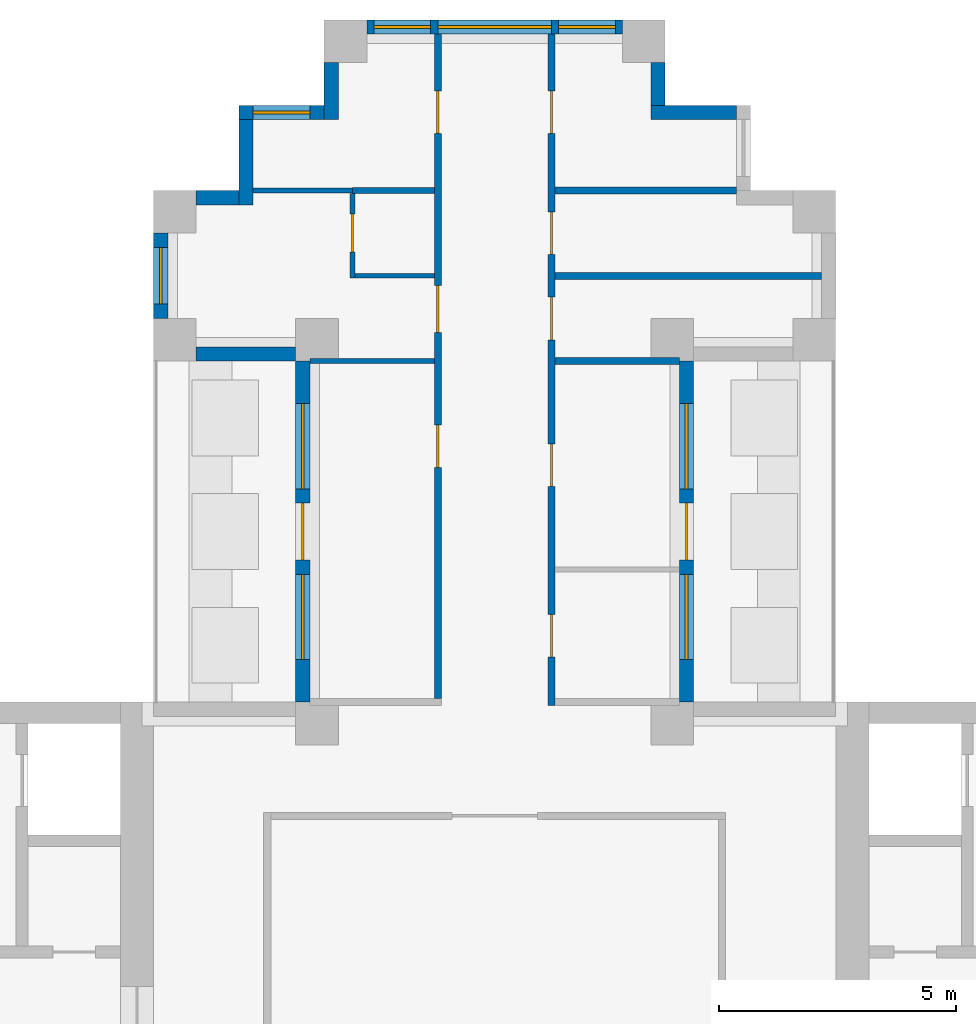
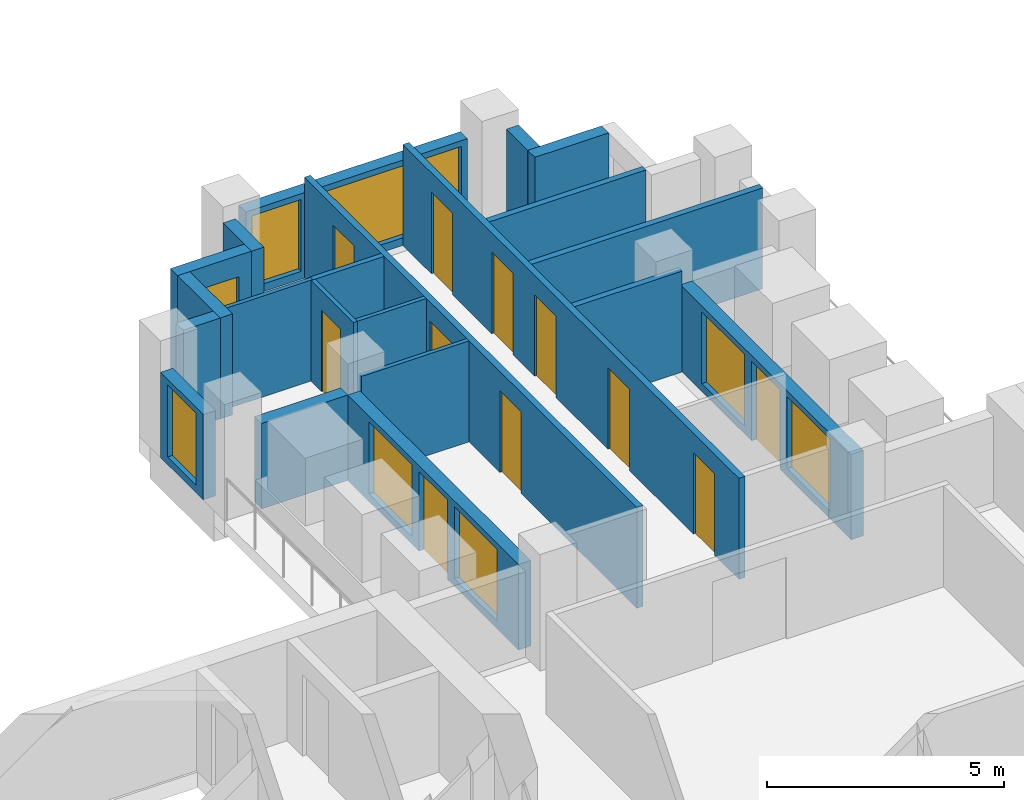
# One storey, part 7 of 11: 21 walls, 11 doors, 9 windows, 20 openings.
"""IFC4 building model written with IfcOpenShell, lengths in metres."""

from ifc_helpers import new_model, si_unit, direction, frame, frame_2d, origin, place, context, subcontext, project, spatial, rectangle, extrude, material, layer, layer_set, type_object, element, fill, save


model = new_model("IFC4")

# Units and contexts
model_context = context("Model", 3, precision=1e-05, world=origin(), true_north=direction((0.0, 1.0)))
body_context = subcontext(model_context, "Body", "Model", "MODEL_VIEW")
ifc_project = project(units=[si_unit("LENGTHUNIT", "METRE"), si_unit("AREAUNIT", "SQUARE_METRE"), si_unit("VOLUMEUNIT", "CUBIC_METRE"), si_unit("PLANEANGLEUNIT", "RADIAN"), si_unit("MASSUNIT", "GRAM", prefix="KILO")], contexts=[model_context])

# Site, building, storey
site_placement = place(None, origin())
site = spatial("IfcSite", under=ifc_project, at=site_placement, CompositionType="ELEMENT")
building_placement = place(site_placement, origin())
building = spatial("IfcBuilding", under=site, at=building_placement, Name="Fustian Cross Tower", CompositionType="ELEMENT")
storey_placement = place(building_placement, frame((0.0, 0.0, 123.300048828125)))
storey = spatial("IfcBuildingStorey", under=building, at=storey_placement, Name="L38", CompositionType="ELEMENT", Elevation=123.300048828125)

# Wall, openings, doors
ifc_material_1 = material(Name="Plasterboard on steel stud", Category="steel")
ifc_layer_1 = layer(ifc_material_1, 0.14990234375)
ifc_layer_set_1 = layer_set([ifc_layer_1], Name="Plasterboard on steel stud")
wall_type_1 = type_object("IfcWallType", Name="COMPARTMENT WALL 150 EI 60", PredefinedType="PARTITIONING", material=ifc_layer_set_1)
wall_1_placement = place(storey_placement, frame((-1.199951171875, 7.27490234375, 0.0), z_axis=(0.0, 0.0, 1.0), x_axis=(0.0, 1.0, 0.0)))
wall_1 = element("IfcWall", 1, at=wall_1_placement, inside=storey, type_object=wall_type_1, Name="Partition 33", PredefinedType="PARTITIONING", context=body_context, shape_type="SweptSolid", body=[
    extrude(rectangle(XDim=14.025146484375, YDim=0.14990234375, at=frame_2d((7.0126953125, 0.0))), origin(), (0.0, 0.0, 1.0), 2.599853515625),
])
opening_1_placement = place(wall_1_placement, frame((4.875, 0.0, 0.0)))
opening_1 = element("IfcOpeningElement", 2, at=opening_1_placement, cuts=wall_1, Name="Opening D18014", PredefinedType="OPENING", context=body_context, shape_type="SweptSolid", body=[
    extrude(rectangle(XDim=0.89990234375, YDim=2.10009765625, at=frame_2d((0.449951171875, 1.050048828125))), frame((0.0, 0.0849609375, 0.0), z_axis=(0.0, -1.0, 0.0), x_axis=(1.0, 0.0, 0.0)), (0.0, 0.0, 1.0), 0.169921875),
])
opening_2_placement = place(wall_1_placement, frame((7.72509765625, 0.0, 0.0)))
opening_2 = element("IfcOpeningElement", 3, at=opening_2_placement, cuts=wall_1, Name="Opening D18016", PredefinedType="OPENING", context=body_context, shape_type="SweptSolid", body=[
    extrude(rectangle(XDim=1.0, YDim=2.10009765625, at=frame_2d((0.5, 1.050048828125))), frame((0.0, 0.0849609375, 0.0), z_axis=(0.0, -1.0, 0.0), x_axis=(1.0, 0.0, 0.0)), (0.0, 0.0, 1.0), 0.169921875),
])
opening_3_placement = place(wall_1_placement, frame((11.925048828125, 0.0, 0.0)))
opening_3 = element("IfcOpeningElement", 4, at=opening_3_placement, cuts=wall_1, Name="Opening D18017", PredefinedType="OPENING", context=body_context, shape_type="SweptSolid", body=[
    extrude(rectangle(XDim=0.89990234375, YDim=2.10009765625, at=frame_2d((0.449951171875, 1.050048828125))), frame((0.0, 0.0849609375, 0.0), z_axis=(0.0, -1.0, 0.0), x_axis=(1.0, 0.0, 0.0)), (0.0, 0.0, 1.0), 0.169921875),
])
ifc_material_2 = material(Name="Timber fire door set", Category="wood")
door_type_1 = type_object("IfcDoorType", Name="FIRE SWING DOOR 1000 FD30S", OperationType="SINGLE_SWING_LEFT", PredefinedType="DOOR", material=ifc_material_2)
door_1_placement = place(opening_2_placement, origin())
door_1 = element("IfcDoor", 5, at=door_1_placement, inside=storey, type_object=door_type_1, Name="Door D18016", OperationType="SINGLE_SWING_RIGHT", OverallHeight=2.10009765625, OverallWidth=1.0, PredefinedType="DOOR", context=body_context, shape_type="SweptSolid", body=[
    extrude(rectangle(XDim=1.0, YDim=2.10009765625, at=frame_2d((0.5, 1.050048828125))), frame((0.0, 0.02490234375, 0.0), z_axis=(0.0, -1.0, 0.0), x_axis=(1.0, 0.0, 0.0)), (0.0, 0.0, 1.0), 0.050048828125),
])
fill(opening_2, door_1)
ifc_material_3 = material(Name="Timber fire door set", Category="wood")
door_type_2 = type_object("IfcDoorType", Name="FIRE SWING DOOR 900 FD30S", OperationType="SINGLE_SWING_LEFT", PredefinedType="DOOR", material=ifc_material_3)
door_2_placement = place(opening_1_placement, origin())
door_2 = element("IfcDoor", 6, at=door_2_placement, inside=storey, type_object=door_type_2, Name="Door D18014", OperationType="SINGLE_SWING_RIGHT", OverallHeight=2.10009765625, OverallWidth=0.89990234375, PredefinedType="DOOR", context=body_context, shape_type="SweptSolid", body=[
    extrude(rectangle(XDim=0.89990234375, YDim=2.10009765625, at=frame_2d((0.449951171875, 1.050048828125))), frame((0.0, 0.02490234375, 0.0), z_axis=(0.0, -1.0, 0.0), x_axis=(1.0, 0.0, 0.0)), (0.0, 0.0, 1.0), 0.050048828125),
])
fill(opening_1, door_2)
door_3_placement = place(opening_3_placement, origin())
door_3 = element("IfcDoor", 7, at=door_3_placement, inside=storey, type_object=door_type_2, Name="Door D18017", OperationType="SINGLE_SWING_LEFT", OverallHeight=2.10009765625, OverallWidth=0.89990234375, PredefinedType="DOOR", context=body_context, shape_type="SweptSolid", body=[
    extrude(rectangle(XDim=0.89990234375, YDim=2.10009765625, at=frame_2d((0.449951171875, 1.050048828125))), frame((0.0, 0.02490234375, 0.0), z_axis=(0.0, -1.0, 0.0), x_axis=(1.0, 0.0, 0.0)), (0.0, 0.0, 1.0), 0.050048828125),
])
fill(opening_3, door_3)

wall_2_placement = place(storey_placement, frame((1.199951171875, 7.125, 0.0), z_axis=(0.0, 0.0, 1.0), x_axis=(0.0, 1.0, 0.0)))
wall_2 = element("IfcWall", 8, at=wall_2_placement, inside=storey, type_object=wall_type_1, Name="Partition 42", PredefinedType="PARTITIONING", context=body_context, shape_type="SweptSolid", body=[
    extrude(rectangle(XDim=14.175048828125, YDim=0.14990234375, at=frame_2d((7.08740234375, 0.0))), origin(), (0.0, 0.0, 1.0), 2.599853515625),
])
opening_4_placement = place(wall_2_placement, frame((1.02490234375, 0.0, 0.0)))
opening_4 = element("IfcOpeningElement", 9, at=opening_4_placement, cuts=wall_2, Name="Opening D18018", PredefinedType="OPENING", context=body_context, shape_type="SweptSolid", body=[
    extrude(rectangle(XDim=0.89990234375, YDim=2.10009765625, at=frame_2d((0.449951171875, 1.050048828125))), frame((0.0, 0.0849609375, 0.0), z_axis=(0.0, -1.0, 0.0), x_axis=(1.0, 0.0, 0.0)), (0.0, 0.0, 1.0), 0.169921875),
])
opening_5_placement = place(wall_2_placement, frame((4.625, 0.0, 0.0)))
opening_5 = element("IfcOpeningElement", 10, at=opening_5_placement, cuts=wall_2, Name="Opening D18019", PredefinedType="OPENING", context=body_context, shape_type="SweptSolid", body=[
    extrude(rectangle(XDim=0.89990234375, YDim=2.10009765625, at=frame_2d((0.449951171875, 1.050048828125))), frame((0.0, 0.0849609375, 0.0), z_axis=(0.0, -1.0, 0.0), x_axis=(1.0, 0.0, 0.0)), (0.0, 0.0, 1.0), 0.169921875),
])
opening_6_placement = place(wall_2_placement, frame((7.72509765625, 0.0, 0.0)))
opening_6 = element("IfcOpeningElement", 11, at=opening_6_placement, cuts=wall_2, Name="Opening D18020", PredefinedType="OPENING", context=body_context, shape_type="SweptSolid", body=[
    extrude(rectangle(XDim=0.89990234375, YDim=2.10009765625, at=frame_2d((0.449951171875, 1.050048828125))), frame((0.0, 0.0849609375, 0.0), z_axis=(0.0, -1.0, 0.0), x_axis=(1.0, 0.0, 0.0)), (0.0, 0.0, 1.0), 0.169921875),
])
opening_7_placement = place(wall_2_placement, frame((9.52490234375, 0.0, 0.0)))
opening_7 = element("IfcOpeningElement", 12, at=opening_7_placement, cuts=wall_2, Name="Opening D18021", PredefinedType="OPENING", context=body_context, shape_type="SweptSolid", body=[
    extrude(rectangle(XDim=0.89990234375, YDim=2.10009765625, at=frame_2d((0.449951171875, 1.050048828125))), frame((0.0, 0.0849609375, 0.0), z_axis=(0.0, -1.0, 0.0), x_axis=(1.0, 0.0, 0.0)), (0.0, 0.0, 1.0), 0.169921875),
])
opening_8_placement = place(wall_2_placement, frame((12.074951171875, 0.0, 0.0)))
opening_8 = element("IfcOpeningElement", 13, at=opening_8_placement, cuts=wall_2, Name="Opening D18022", PredefinedType="OPENING", context=body_context, shape_type="SweptSolid", body=[
    extrude(rectangle(XDim=0.89990234375, YDim=2.10009765625, at=frame_2d((0.449951171875, 1.050048828125))), frame((0.0, 0.0849609375, 0.0), z_axis=(0.0, -1.0, 0.0), x_axis=(1.0, 0.0, 0.0)), (0.0, 0.0, 1.0), 0.169921875),
])
door_4_placement = place(opening_4_placement, frame((0.89990234375, 0.0, 0.0), z_axis=(0.0, 0.0, 1.0), x_axis=(-1.0, 0.0, 0.0)))
door_4 = element("IfcDoor", 14, at=door_4_placement, inside=storey, type_object=door_type_2, Name="Door D18018", OperationType="SINGLE_SWING_RIGHT", OverallHeight=2.10009765625, OverallWidth=0.89990234375, PredefinedType="DOOR", context=body_context, shape_type="SweptSolid", body=[
    extrude(rectangle(XDim=0.89990234375, YDim=2.10009765625, at=frame_2d((0.449951171875, 1.050048828125))), frame((0.0, 0.02490234375, 0.0), z_axis=(0.0, -1.0, 0.0), x_axis=(1.0, 0.0, 0.0)), (0.0, 0.0, 1.0), 0.050048828125),
])
fill(opening_4, door_4)
door_5_placement = place(opening_5_placement, frame((0.89990234375, 0.0, 0.0), z_axis=(0.0, 0.0, 1.0), x_axis=(-1.0, 0.0, 0.0)))
door_5 = element("IfcDoor", 15, at=door_5_placement, inside=storey, type_object=door_type_2, Name="Door D18019", OperationType="SINGLE_SWING_RIGHT", OverallHeight=2.10009765625, OverallWidth=0.89990234375, PredefinedType="DOOR", context=body_context, shape_type="SweptSolid", body=[
    extrude(rectangle(XDim=0.89990234375, YDim=2.10009765625, at=frame_2d((0.449951171875, 1.050048828125))), frame((0.0, 0.02490234375, 0.0), z_axis=(0.0, -1.0, 0.0), x_axis=(1.0, 0.0, 0.0)), (0.0, 0.0, 1.0), 0.050048828125),
])
fill(opening_5, door_5)
door_6_placement = place(opening_6_placement, origin())
door_6 = element("IfcDoor", 16, at=door_6_placement, inside=storey, type_object=door_type_2, Name="Door D18020", OperationType="SINGLE_SWING_RIGHT", OverallHeight=2.10009765625, OverallWidth=0.89990234375, PredefinedType="DOOR", context=body_context, shape_type="SweptSolid", body=[
    extrude(rectangle(XDim=0.89990234375, YDim=2.10009765625, at=frame_2d((0.449951171875, 1.050048828125))), frame((0.0, 0.02490234375, 0.0), z_axis=(0.0, -1.0, 0.0), x_axis=(1.0, 0.0, 0.0)), (0.0, 0.0, 1.0), 0.050048828125),
])
fill(opening_6, door_6)
door_7_placement = place(opening_7_placement, frame((0.89990234375, 0.0, 0.0), z_axis=(0.0, 0.0, 1.0), x_axis=(-1.0, 0.0, 0.0)))
door_7 = element("IfcDoor", 17, at=door_7_placement, inside=storey, type_object=door_type_2, Name="Door D18021", OperationType="SINGLE_SWING_LEFT", OverallHeight=2.10009765625, OverallWidth=0.89990234375, PredefinedType="DOOR", context=body_context, shape_type="SweptSolid", body=[
    extrude(rectangle(XDim=0.89990234375, YDim=2.10009765625, at=frame_2d((0.449951171875, 1.050048828125))), frame((0.0, 0.02490234375, 0.0), z_axis=(0.0, -1.0, 0.0), x_axis=(1.0, 0.0, 0.0)), (0.0, 0.0, 1.0), 0.050048828125),
])
fill(opening_7, door_7)
door_8_placement = place(opening_8_placement, frame((0.89990234375, 0.0, 0.0), z_axis=(0.0, 0.0, 1.0), x_axis=(-1.0, 0.0, 0.0)))
door_8 = element("IfcDoor", 18, at=door_8_placement, inside=storey, type_object=door_type_2, Name="Door D18022", OperationType="SINGLE_SWING_RIGHT", OverallHeight=2.10009765625, OverallWidth=0.89990234375, PredefinedType="DOOR", context=body_context, shape_type="SweptSolid", body=[
    extrude(rectangle(XDim=0.89990234375, YDim=2.10009765625, at=frame_2d((0.449951171875, 1.050048828125))), frame((0.0, 0.02490234375, 0.0), z_axis=(0.0, -1.0, 0.0), x_axis=(1.0, 0.0, 0.0)), (0.0, 0.0, 1.0), 0.050048828125),
])
fill(opening_8, door_8)

# Walls
wall_3_placement = place(storey_placement, frame((1.27490234375, 14.39990234375, 0.0), z_axis=(0.0, 0.0, 1.0), x_axis=(1.0, 0.0, 0.0)))
element("IfcWall", 19, at=wall_3_placement, inside=storey, type_object=wall_type_1, Name="Partition 45", PredefinedType="PARTITIONING", context=body_context, shape_type="SweptSolid", body=[
    extrude(rectangle(XDim=2.625, YDim=0.14990234375, at=frame_2d((1.3125, 0.0))), origin(), (0.0, 0.0, 1.0), 2.599853515625),
])
wall_4_placement = place(storey_placement, frame((1.27490234375, 16.199951171875, 0.0), z_axis=(0.0, 0.0, 1.0), x_axis=(1.0, 0.0, 0.0)))
element("IfcWall", 20, at=wall_4_placement, inside=storey, type_object=wall_type_1, Name="Partition 46", PredefinedType="PARTITIONING", context=body_context, shape_type="SweptSolid", body=[
    extrude(rectangle(XDim=5.625, YDim=0.14990234375, at=frame_2d((2.8125, 0.0))), origin(), (0.0, 0.0, 1.0), 2.599853515625),
])
wall_5_placement = place(storey_placement, frame((1.27490234375, 18.0, 0.0), z_axis=(0.0, 0.0, 1.0), x_axis=(1.0, 0.0, 0.0)))
element("IfcWall", 21, at=wall_5_placement, inside=storey, type_object=wall_type_1, Name="Partition 47", PredefinedType="PARTITIONING", context=body_context, shape_type="SweptSolid", body=[
    extrude(rectangle(XDim=3.8251953125, YDim=0.14990234375, at=frame_2d((1.91259765625, 0.0))), origin(), (0.0, 0.0, 1.0), 2.599853515625),
])
ifc_material_4 = material(Name="Plasterboard on steel stud", Category="steel")
ifc_layer_2 = layer(ifc_material_4, 0.10009765625)
ifc_layer_set_2 = layer_set([ifc_layer_2], Name="Plasterboard on steel stud")
wall_type_2 = type_object("IfcWallType", Name="PARTITION 100 STUD", PredefinedType="PARTITIONING", material=ifc_layer_set_2)
wall_6_placement = place(storey_placement, frame((-5.10009765625, 18.0, 0.0), z_axis=(0.0, 0.0, 1.0), x_axis=(1.0, 0.0, 0.0)))
element("IfcWall", 22, at=wall_6_placement, inside=storey, type_object=wall_type_2, Name="Partition 16", PredefinedType="PARTITIONING", context=body_context, shape_type="SweptSolid", body=[
    extrude(rectangle(XDim=2.10009765625, YDim=0.10009765625, at=frame_2d((1.050048828125, 0.0))), origin(), (0.0, 0.0, 1.0), 2.599853515625),
])
wall_7_placement = place(storey_placement, frame((-3.89990234375, 14.39990234375, 0.0), z_axis=(0.0, 0.0, 1.0), x_axis=(1.0, 0.0, 0.0)))
element("IfcWall", 23, at=wall_7_placement, inside=storey, type_object=wall_type_2, Name="Partition 24", PredefinedType="PARTITIONING", context=body_context, shape_type="SweptSolid", body=[
    extrude(rectangle(XDim=2.625, YDim=0.10009765625, at=frame_2d((1.3125, 0.0))), origin(), (0.0, 0.0, 1.0), 2.599853515625),
])

# Wall, opening, door
wall_8_placement = place(storey_placement, frame((-3.0, 16.14990234375, 0.0), z_axis=(0.0, 0.0, 1.0), x_axis=(0.0, 1.0, 0.0)))
wall_8 = element("IfcWall", 24, at=wall_8_placement, inside=storey, type_object=wall_type_2, Name="Partition 28", PredefinedType="PARTITIONING", context=body_context, shape_type="SweptSolid", body=[
    extrude(rectangle(XDim=1.78759765625, YDim=0.10009765625, at=frame_2d((0.893798828125, 0.0))), origin(), (0.0, 0.0, 1.0), 2.599853515625),
])
opening_9_placement = place(wall_8_placement, frame((0.550048828125, 0.0, 0.0)))
opening_9 = element("IfcOpeningElement", 25, at=opening_9_placement, cuts=wall_8, Name="Opening D18015", PredefinedType="OPENING", context=body_context, shape_type="SweptSolid", body=[
    extrude(rectangle(XDim=0.800048828125, YDim=2.10009765625, at=frame_2d((0.39990234375, 1.050048828125))), frame((0.0, 0.06005859375, 0.0), z_axis=(0.0, -1.0, 0.0), x_axis=(1.0, 0.0, 0.0)), (0.0, 0.0, 1.0), 0.1201171875),
])
ifc_material_5 = material(Name="Painted timber", Category="wood")
door_type_3 = type_object("IfcDoorType", Name="SWING DOOR 800", OperationType="SINGLE_SWING_LEFT", PredefinedType="DOOR", material=ifc_material_5)
door_9_placement = place(opening_9_placement, frame((0.800048828125, 0.0, 0.0), z_axis=(0.0, 0.0, 1.0), x_axis=(-1.0, 0.0, 0.0)))
door_9 = element("IfcDoor", 26, at=door_9_placement, inside=storey, type_object=door_type_3, Name="Door D18015", OperationType="SINGLE_SWING_LEFT", OverallHeight=2.10009765625, OverallWidth=0.800048828125, PredefinedType="DOOR", context=body_context, shape_type="SweptSolid", body=[
    extrude(rectangle(XDim=0.800048828125, YDim=2.10009765625, at=frame_2d((0.39990234375, 1.050048828125))), frame((0.0, 0.02490234375, 0.0), z_axis=(0.0, -1.0, 0.0), x_axis=(1.0, 0.0, 0.0)), (0.0, 0.0, 1.0), 0.050048828125),
])
fill(opening_9, door_9)

# Walls
wall_9_placement = place(storey_placement, frame((-2.949951171875, 16.199951171875, 0.0), z_axis=(0.0, 0.0, 1.0), x_axis=(1.0, 0.0, 0.0)))
element("IfcWall", 27, at=wall_9_placement, inside=storey, type_object=wall_type_2, Name="Partition 29", PredefinedType="PARTITIONING", context=body_context, shape_type="SweptSolid", body=[
    extrude(rectangle(XDim=1.675048828125, YDim=0.10009765625, at=frame_2d((0.83740234375, 0.0))), origin(), (0.0, 0.0, 1.0), 2.599853515625),
])
ifc_material_6 = material(Name="Plasterboard on steel stud", Category="steel")
ifc_layer_3 = layer(ifc_material_6, 0.125)
ifc_layer_set_3 = layer_set([ifc_layer_3], Name="Plasterboard on steel stud")
wall_type_3 = type_object("IfcWallType", Name="WET WALL 125 STUD", PredefinedType="PARTITIONING", material=ifc_layer_set_3)
wall_10_placement = place(storey_placement, frame((-3.0, 18.0, 0.0), z_axis=(0.0, 0.0, 1.0), x_axis=(1.0, 0.0, 0.0)))
element("IfcWall", 28, at=wall_10_placement, inside=storey, type_object=wall_type_3, Name="Partition 30", PredefinedType="PARTITIONING", context=body_context, shape_type="SweptSolid", body=[
    extrude(rectangle(XDim=1.72509765625, YDim=0.125, at=frame_2d((0.862548828125, 0.0))), origin(), (0.0, 0.0, 1.0), 2.599853515625),
])

# Wall, openings, door, windows
ifc_material_7 = material(Name="Dark aluminium cladding on insulated backing wall", Category="aluminium")
ifc_layer_4 = layer(ifc_material_7, 0.300048828125)
ifc_layer_set_4 = layer_set([ifc_layer_4], Name="Dark aluminium cladding on insulated backing wall")
wall_type_4 = type_object("IfcWallType", Name="XW1 EXTERNAL WALL 300", PredefinedType="SOLIDWALL", material=ifc_layer_set_4)
wall_11_placement = place(storey_placement, frame((4.050048828125, 7.199951171875, 0.0), z_axis=(0.0, 0.0, 1.0), x_axis=(0.0, 1.0, 0.0)))
wall_11 = element("IfcWall", 29, at=wall_11_placement, inside=storey, type_object=wall_type_4, Name="External wall", PredefinedType="SOLIDWALL", context=body_context, shape_type="SweptSolid", body=[
    extrude(rectangle(XDim=7.199951171875, YDim=0.300048828125, at=frame_2d((3.60009765625, 0.0))), origin(), (0.0, 0.0, 1.0), 2.199951171875),
])
opening_10_placement = place(wall_11_placement, frame((3.0, 0.0, 0.0)))
opening_10 = element("IfcOpeningElement", 30, at=opening_10_placement, cuts=wall_11, Name="Opening XD1", PredefinedType="OPENING", context=body_context, shape_type="SweptSolid", body=[
    extrude(rectangle(XDim=1.199951171875, YDim=2.050048828125, at=frame_2d((0.60009765625, 1.02490234375))), frame((0.0, 0.159912109375, 0.0), z_axis=(0.0, -1.0, 0.0), x_axis=(1.0, 0.0, 0.0)), (0.0, 0.0, 1.0), 0.320068359375),
])
opening_11_placement = place(wall_11_placement, frame((0.89990234375, 0.0, 0.199951171875)))
opening_11 = element("IfcOpeningElement", 31, at=opening_11_placement, cuts=wall_11, Name="Opening WN2", PredefinedType="OPENING", context=body_context, shape_type="SweptSolid", body=[
    extrude(rectangle(XDim=1.800048828125, YDim=1.85009765625, at=frame_2d((0.89990234375, 0.925048828125))), frame((0.0, 0.159912109375, 0.0), z_axis=(0.0, -1.0, 0.0), x_axis=(1.0, 0.0, 0.0)), (0.0, 0.0, 1.0), 0.320068359375),
])
opening_12_placement = place(wall_11_placement, frame((4.5, 0.0, 0.199951171875)))
opening_12 = element("IfcOpeningElement", 32, at=opening_12_placement, cuts=wall_11, Name="Opening WN2", PredefinedType="OPENING", context=body_context, shape_type="SweptSolid", body=[
    extrude(rectangle(XDim=1.800048828125, YDim=1.85009765625, at=frame_2d((0.89990234375, 0.925048828125))), frame((0.0, 0.159912109375, 0.0), z_axis=(0.0, -1.0, 0.0), x_axis=(1.0, 0.0, 0.0)), (0.0, 0.0, 1.0), 0.320068359375),
])
ifc_material_8 = material(Name="Dark anodised aluminium and double glazing", Category="aluminium")
door_type_4 = type_object("IfcDoorType", Name="ED1 BALCONY DOOR 1200X2050", OperationType="SINGLE_SWING_LEFT", PredefinedType="DOOR", material=ifc_material_8)
door_10_placement = place(opening_10_placement, origin())
door_10 = element("IfcDoor", 33, at=door_10_placement, inside=storey, type_object=door_type_4, Name="Balcony door", OperationType="SINGLE_SWING_LEFT", OverallHeight=2.050048828125, OverallWidth=1.199951171875, PredefinedType="DOOR", context=body_context, shape_type="SweptSolid", body=[
    extrude(rectangle(XDim=1.199951171875, YDim=2.050048828125, at=frame_2d((0.60009765625, 1.02490234375))), frame((0.0, 0.02490234375, 0.0), z_axis=(0.0, -1.0, 0.0), x_axis=(1.0, 0.0, 0.0)), (0.0, 0.0, 1.0), 0.050048828125),
])
fill(opening_10, door_10)
ifc_material_9 = material(Name="Dark anodised aluminium and double glazing", Category="aluminium")
window_type_1 = type_object("IfcWindowType", Name="WN2 WINDOW 1800X1850", PartitioningType="SINGLE_PANEL", PredefinedType="WINDOW", material=ifc_material_9)
window_1_placement = place(opening_11_placement, origin())
window_1 = element("IfcWindow", 34, at=window_1_placement, inside=storey, type_object=window_type_1, Name="Window", OverallHeight=1.85009765625, OverallWidth=1.800048828125, PartitioningType="SINGLE_PANEL", PredefinedType="WINDOW", context=body_context, shape_type="SweptSolid", body=[
    extrude(rectangle(XDim=1.800048828125, YDim=1.85009765625, at=frame_2d((0.89990234375, 0.925048828125))), frame((0.0, 0.030029296875, 0.0), z_axis=(0.0, -1.0, 0.0), x_axis=(1.0, 0.0, 0.0)), (0.0, 0.0, 1.0), 0.06005859375),
])
fill(opening_11, window_1)
window_2_placement = place(opening_12_placement, origin())
window_2 = element("IfcWindow", 35, at=window_2_placement, inside=storey, type_object=window_type_1, Name="Window", OverallHeight=1.85009765625, OverallWidth=1.800048828125, PartitioningType="SINGLE_PANEL", PredefinedType="WINDOW", context=body_context, shape_type="SweptSolid", body=[
    extrude(rectangle(XDim=1.800048828125, YDim=1.85009765625, at=frame_2d((0.89990234375, 0.925048828125))), frame((0.0, 0.030029296875, 0.0), z_axis=(0.0, -1.0, 0.0), x_axis=(1.0, 0.0, 0.0)), (0.0, 0.0, 1.0), 0.06005859375),
])
fill(opening_12, window_2)

# Walls
wall_12_placement = place(storey_placement, frame((5.10009765625, 19.64990234375, 0.0), z_axis=(0.0, 0.0, 1.0), x_axis=(-1.0, 0.0, 0.0)))
element("IfcWall", 36, at=wall_12_placement, inside=storey, type_object=wall_type_4, Name="External wall", PredefinedType="SOLIDWALL", context=body_context, shape_type="SweptSolid", body=[
    extrude(rectangle(XDim=1.800048828125, YDim=0.300048828125, at=frame_2d((0.89990234375, 0.0))), origin(), (0.0, 0.0, 1.0), 2.599853515625),
])
wall_13_placement = place(storey_placement, frame((3.449951171875, 19.800048828125, 0.0), z_axis=(0.0, 0.0, 1.0), x_axis=(0.0, 1.0, 0.0)))
element("IfcWall", 37, at=wall_13_placement, inside=storey, type_object=wall_type_4, Name="External wall", PredefinedType="SOLIDWALL", context=body_context, shape_type="SweptSolid", body=[
    extrude(rectangle(XDim=0.89990234375, YDim=0.300048828125, at=frame_2d((0.449951171875, 0.0))), origin(), (0.0, 0.0, 1.0), 2.599853515625),
])

# Wall, openings, windows
wall_14_placement = place(storey_placement, frame((2.699951171875, 21.449951171875, 0.0), z_axis=(0.0, 0.0, 1.0), x_axis=(-1.0, 0.0, 0.0)))
wall_14 = element("IfcWall", 38, at=wall_14_placement, inside=storey, type_object=wall_type_4, Name="External wall", PredefinedType="SOLIDWALL", context=body_context, shape_type="SweptSolid", body=[
    extrude(rectangle(XDim=5.39990234375, YDim=0.300048828125, at=frame_2d((2.699951171875, 0.0))), origin(), (0.0, 0.0, 1.0), 2.199951171875),
])
opening_13_placement = place(wall_14_placement, frame((1.5, 0.0, 0.199951171875)))
opening_13 = element("IfcOpeningElement", 39, at=opening_13_placement, cuts=wall_14, Name="Opening WN1", PredefinedType="OPENING", context=body_context, shape_type="SweptSolid", body=[
    extrude(rectangle(XDim=2.39990234375, YDim=1.85009765625, at=frame_2d((1.199951171875, 0.925048828125))), frame((0.0, 0.159912109375, 0.0), z_axis=(0.0, -1.0, 0.0), x_axis=(1.0, 0.0, 0.0)), (0.0, 0.0, 1.0), 0.320068359375),
])
opening_14_placement = place(wall_14_placement, frame((0.14990234375, 0.0, 0.199951171875)))
opening_14 = element("IfcOpeningElement", 40, at=opening_14_placement, cuts=wall_14, Name="Opening WN3", PredefinedType="OPENING", context=body_context, shape_type="SweptSolid", body=[
    extrude(rectangle(XDim=1.199951171875, YDim=1.85009765625, at=frame_2d((0.60009765625, 0.925048828125))), frame((0.0, 0.159912109375, 0.0), z_axis=(0.0, -1.0, 0.0), x_axis=(1.0, 0.0, 0.0)), (0.0, 0.0, 1.0), 0.320068359375),
])
opening_15_placement = place(wall_14_placement, frame((4.050048828125, 0.0, 0.199951171875)))
opening_15 = element("IfcOpeningElement", 41, at=opening_15_placement, cuts=wall_14, Name="Opening WN3", PredefinedType="OPENING", context=body_context, shape_type="SweptSolid", body=[
    extrude(rectangle(XDim=1.199951171875, YDim=1.85009765625, at=frame_2d((0.60009765625, 0.925048828125))), frame((0.0, 0.159912109375, 0.0), z_axis=(0.0, -1.0, 0.0), x_axis=(1.0, 0.0, 0.0)), (0.0, 0.0, 1.0), 0.320068359375),
])
ifc_material_10 = material(Name="Dark anodised aluminium and double glazing", Category="aluminium")
window_type_2 = type_object("IfcWindowType", Name="WN1 WINDOW 2400X1850", PartitioningType="SINGLE_PANEL", PredefinedType="WINDOW", material=ifc_material_10)
window_3_placement = place(opening_13_placement, origin())
window_3 = element("IfcWindow", 42, at=window_3_placement, inside=storey, type_object=window_type_2, Name="Window", OverallHeight=1.85009765625, OverallWidth=2.39990234375, PartitioningType="SINGLE_PANEL", PredefinedType="WINDOW", context=body_context, shape_type="SweptSolid", body=[
    extrude(rectangle(XDim=2.39990234375, YDim=1.85009765625, at=frame_2d((1.199951171875, 0.925048828125))), frame((0.0, 0.030029296875, 0.0), z_axis=(0.0, -1.0, 0.0), x_axis=(1.0, 0.0, 0.0)), (0.0, 0.0, 1.0), 0.06005859375),
])
fill(opening_13, window_3)
ifc_material_11 = material(Name="Dark anodised aluminium and double glazing", Category="aluminium")
window_type_3 = type_object("IfcWindowType", Name="WN3 WINDOW 1200X1850", PartitioningType="SINGLE_PANEL", PredefinedType="WINDOW", material=ifc_material_11)
window_4_placement = place(opening_14_placement, origin())
window_4 = element("IfcWindow", 43, at=window_4_placement, inside=storey, type_object=window_type_3, Name="Window", OverallHeight=1.85009765625, OverallWidth=1.199951171875, PartitioningType="SINGLE_PANEL", PredefinedType="WINDOW", context=body_context, shape_type="SweptSolid", body=[
    extrude(rectangle(XDim=1.199951171875, YDim=1.85009765625, at=frame_2d((0.60009765625, 0.925048828125))), frame((0.0, 0.030029296875, 0.0), z_axis=(0.0, -1.0, 0.0), x_axis=(1.0, 0.0, 0.0)), (0.0, 0.0, 1.0), 0.06005859375),
])
fill(opening_14, window_4)
window_5_placement = place(opening_15_placement, origin())
window_5 = element("IfcWindow", 44, at=window_5_placement, inside=storey, type_object=window_type_3, Name="Window", OverallHeight=1.85009765625, OverallWidth=1.199951171875, PartitioningType="SINGLE_PANEL", PredefinedType="WINDOW", context=body_context, shape_type="SweptSolid", body=[
    extrude(rectangle(XDim=1.199951171875, YDim=1.85009765625, at=frame_2d((0.60009765625, 0.925048828125))), frame((0.0, 0.030029296875, 0.0), z_axis=(0.0, -1.0, 0.0), x_axis=(1.0, 0.0, 0.0)), (0.0, 0.0, 1.0), 0.06005859375),
])
fill(opening_15, window_5)

# Wall
wall_15_placement = place(storey_placement, frame((-3.449951171875, 20.699951171875, 0.0), z_axis=(0.0, 0.0, 1.0), x_axis=(0.0, -1.0, 0.0)))
element("IfcWall", 45, at=wall_15_placement, inside=storey, type_object=wall_type_4, Name="External wall", PredefinedType="SOLIDWALL", context=body_context, shape_type="SweptSolid", body=[
    extrude(rectangle(XDim=1.199951171875, YDim=0.300048828125, at=frame_2d((0.60009765625, 0.0))), origin(), (0.0, 0.0, 1.0), 2.599853515625),
])

# Wall, opening, window
wall_16_placement = place(storey_placement, frame((-3.60009765625, 19.64990234375, 0.0), z_axis=(0.0, 0.0, 1.0), x_axis=(-1.0, 0.0, 0.0)))
wall_16 = element("IfcWall", 46, at=wall_16_placement, inside=storey, type_object=wall_type_4, Name="External wall", PredefinedType="SOLIDWALL", context=body_context, shape_type="SweptSolid", body=[
    extrude(rectangle(XDim=1.7998046875, YDim=0.300048828125, at=frame_2d((0.89990234375, 0.0))), origin(), (0.0, 0.0, 1.0), 2.599853515625),
])
opening_16_placement = place(wall_16_placement, frame((0.300048828125, 0.0, 0.199951171875)))
opening_16 = element("IfcOpeningElement", 47, at=opening_16_placement, cuts=wall_16, Name="Opening WN3", PredefinedType="OPENING", context=body_context, shape_type="SweptSolid", body=[
    extrude(rectangle(XDim=1.199951171875, YDim=1.85009765625, at=frame_2d((0.60009765625, 0.925048828125))), frame((0.0, 0.159912109375, 0.0), z_axis=(0.0, -1.0, 0.0), x_axis=(1.0, 0.0, 0.0)), (0.0, 0.0, 1.0), 0.320068359375),
])
window_6_placement = place(opening_16_placement, origin())
window_6 = element("IfcWindow", 48, at=window_6_placement, inside=storey, type_object=window_type_3, Name="Window", OverallHeight=1.85009765625, OverallWidth=1.199951171875, PartitioningType="SINGLE_PANEL", PredefinedType="WINDOW", context=body_context, shape_type="SweptSolid", body=[
    extrude(rectangle(XDim=1.199951171875, YDim=1.85009765625, at=frame_2d((0.60009765625, 0.925048828125))), frame((0.0, 0.030029296875, 0.0), z_axis=(0.0, -1.0, 0.0), x_axis=(1.0, 0.0, 0.0)), (0.0, 0.0, 1.0), 0.06005859375),
])
fill(opening_16, window_6)

# Walls
wall_17_placement = place(storey_placement, frame((-5.25, 19.5, 0.0), z_axis=(0.0, 0.0, 1.0), x_axis=(0.0, -1.0, 0.0)))
element("IfcWall", 49, at=wall_17_placement, inside=storey, type_object=wall_type_4, Name="External wall", PredefinedType="SOLIDWALL", context=body_context, shape_type="SweptSolid", body=[
    extrude(rectangle(XDim=1.800048828125, YDim=0.300048828125, at=frame_2d((0.89990234375, 0.0))), origin(), (0.0, 0.0, 1.0), 2.599853515625),
])
wall_18_placement = place(storey_placement, frame((-5.39990234375, 17.85009765625, 0.0), z_axis=(0.0, 0.0, 1.0), x_axis=(-1.0, 0.0, 0.0)))
element("IfcWall", 50, at=wall_18_placement, inside=storey, type_object=wall_type_4, Name="External wall", PredefinedType="SOLIDWALL", context=body_context, shape_type="SweptSolid", body=[
    extrude(rectangle(XDim=0.900146484375, YDim=0.300048828125, at=frame_2d((0.4501953125, 0.0))), origin(), (0.0, 0.0, 1.0), 2.599853515625),
])

# Wall, opening, window
wall_19_placement = place(storey_placement, frame((-7.050048828125, 17.10009765625, 0.0), z_axis=(0.0, 0.0, 1.0), x_axis=(0.0, -1.0, 0.0)))
wall_19 = element("IfcWall", 51, at=wall_19_placement, inside=storey, type_object=wall_type_4, Name="External wall", PredefinedType="SOLIDWALL", context=body_context, shape_type="SweptSolid", body=[
    extrude(rectangle(XDim=1.800048828125, YDim=0.300048828125, at=frame_2d((0.89990234375, 0.0))), origin(), (0.0, 0.0, 1.0), 2.199951171875),
])
opening_17_placement = place(wall_19_placement, frame((0.300048828125, 0.0, 0.199951171875)))
opening_17 = element("IfcOpeningElement", 52, at=opening_17_placement, cuts=wall_19, Name="Opening WN3", PredefinedType="OPENING", context=body_context, shape_type="SweptSolid", body=[
    extrude(rectangle(XDim=1.199951171875, YDim=1.85009765625, at=frame_2d((0.60009765625, 0.925048828125))), frame((0.0, 0.159912109375, 0.0), z_axis=(0.0, -1.0, 0.0), x_axis=(1.0, 0.0, 0.0)), (0.0, 0.0, 1.0), 0.320068359375),
])
window_7_placement = place(opening_17_placement, origin())
window_7 = element("IfcWindow", 53, at=window_7_placement, inside=storey, type_object=window_type_3, Name="Window", OverallHeight=1.85009765625, OverallWidth=1.199951171875, PartitioningType="SINGLE_PANEL", PredefinedType="WINDOW", context=body_context, shape_type="SweptSolid", body=[
    extrude(rectangle(XDim=1.199951171875, YDim=1.85009765625, at=frame_2d((0.60009765625, 0.925048828125))), frame((0.0, 0.030029296875, 0.0), z_axis=(0.0, -1.0, 0.0), x_axis=(1.0, 0.0, 0.0)), (0.0, 0.0, 1.0), 0.06005859375),
])
fill(opening_17, window_7)

# Wall
wall_20_placement = place(storey_placement, frame((-6.300048828125, 14.550048828125, 0.0), z_axis=(0.0, 0.0, 1.0), x_axis=(1.0, 0.0, 0.0)))
element("IfcWall", 54, at=wall_20_placement, inside=storey, type_object=wall_type_4, Name="External wall", PredefinedType="SOLIDWALL", context=body_context, shape_type="SweptSolid", body=[
    extrude(rectangle(XDim=2.10009765625, YDim=0.300048828125, at=frame_2d((1.050048828125, 0.0))), origin(), (0.0, 0.0, 1.0), 2.199951171875),
])

# Wall, openings, door, windows
wall_21_placement = place(storey_placement, frame((-4.050048828125, 14.39990234375, 0.0), z_axis=(0.0, 0.0, 1.0), x_axis=(0.0, -1.0, 0.0)))
wall_21 = element("IfcWall", 55, at=wall_21_placement, inside=storey, type_object=wall_type_4, Name="External wall", PredefinedType="SOLIDWALL", context=body_context, shape_type="SweptSolid", body=[
    extrude(rectangle(XDim=7.199951171875, YDim=0.300048828125, at=frame_2d((3.60009765625, 0.0))), origin(), (0.0, 0.0, 1.0), 2.199951171875),
])
opening_18_placement = place(wall_21_placement, frame((3.0, 0.0, 0.0)))
opening_18 = element("IfcOpeningElement", 56, at=opening_18_placement, cuts=wall_21, Name="Opening XD2", PredefinedType="OPENING", context=body_context, shape_type="SweptSolid", body=[
    extrude(rectangle(XDim=1.199951171875, YDim=2.050048828125, at=frame_2d((0.60009765625, 1.02490234375))), frame((0.0, 0.159912109375, 0.0), z_axis=(0.0, -1.0, 0.0), x_axis=(1.0, 0.0, 0.0)), (0.0, 0.0, 1.0), 0.320068359375),
])
opening_19_placement = place(wall_21_placement, frame((0.89990234375, 0.0, 0.199951171875)))
opening_19 = element("IfcOpeningElement", 57, at=opening_19_placement, cuts=wall_21, Name="Opening WN2", PredefinedType="OPENING", context=body_context, shape_type="SweptSolid", body=[
    extrude(rectangle(XDim=1.800048828125, YDim=1.85009765625, at=frame_2d((0.89990234375, 0.925048828125))), frame((0.0, 0.159912109375, 0.0), z_axis=(0.0, -1.0, 0.0), x_axis=(1.0, 0.0, 0.0)), (0.0, 0.0, 1.0), 0.320068359375),
])
opening_20_placement = place(wall_21_placement, frame((4.5, 0.0, 0.199951171875)))
opening_20 = element("IfcOpeningElement", 58, at=opening_20_placement, cuts=wall_21, Name="Opening WN2", PredefinedType="OPENING", context=body_context, shape_type="SweptSolid", body=[
    extrude(rectangle(XDim=1.800048828125, YDim=1.85009765625, at=frame_2d((0.89990234375, 0.925048828125))), frame((0.0, 0.159912109375, 0.0), z_axis=(0.0, -1.0, 0.0), x_axis=(1.0, 0.0, 0.0)), (0.0, 0.0, 1.0), 0.320068359375),
])
door_11_placement = place(opening_18_placement, origin())
door_11 = element("IfcDoor", 59, at=door_11_placement, inside=storey, type_object=door_type_4, Name="Balcony door", OperationType="SINGLE_SWING_LEFT", OverallHeight=2.050048828125, OverallWidth=1.199951171875, PredefinedType="DOOR", context=body_context, shape_type="SweptSolid", body=[
    extrude(rectangle(XDim=1.199951171875, YDim=2.050048828125, at=frame_2d((0.60009765625, 1.02490234375))), frame((0.0, 0.02490234375, 0.0), z_axis=(0.0, -1.0, 0.0), x_axis=(1.0, 0.0, 0.0)), (0.0, 0.0, 1.0), 0.050048828125),
])
fill(opening_18, door_11)
window_8_placement = place(opening_19_placement, origin())
window_8 = element("IfcWindow", 60, at=window_8_placement, inside=storey, type_object=window_type_1, Name="Window", OverallHeight=1.85009765625, OverallWidth=1.800048828125, PartitioningType="SINGLE_PANEL", PredefinedType="WINDOW", context=body_context, shape_type="SweptSolid", body=[
    extrude(rectangle(XDim=1.800048828125, YDim=1.85009765625, at=frame_2d((0.89990234375, 0.925048828125))), frame((0.0, 0.030029296875, 0.0), z_axis=(0.0, -1.0, 0.0), x_axis=(1.0, 0.0, 0.0)), (0.0, 0.0, 1.0), 0.06005859375),
])
fill(opening_19, window_8)
window_9_placement = place(opening_20_placement, origin())
window_9 = element("IfcWindow", 61, at=window_9_placement, inside=storey, type_object=window_type_1, Name="Window", OverallHeight=1.85009765625, OverallWidth=1.800048828125, PartitioningType="SINGLE_PANEL", PredefinedType="WINDOW", context=body_context, shape_type="SweptSolid", body=[
    extrude(rectangle(XDim=1.800048828125, YDim=1.85009765625, at=frame_2d((0.89990234375, 0.925048828125))), frame((0.0, 0.030029296875, 0.0), z_axis=(0.0, -1.0, 0.0), x_axis=(1.0, 0.0, 0.0)), (0.0, 0.0, 1.0), 0.06005859375),
])
fill(opening_20, window_9)

save(model, "model.ifc")
